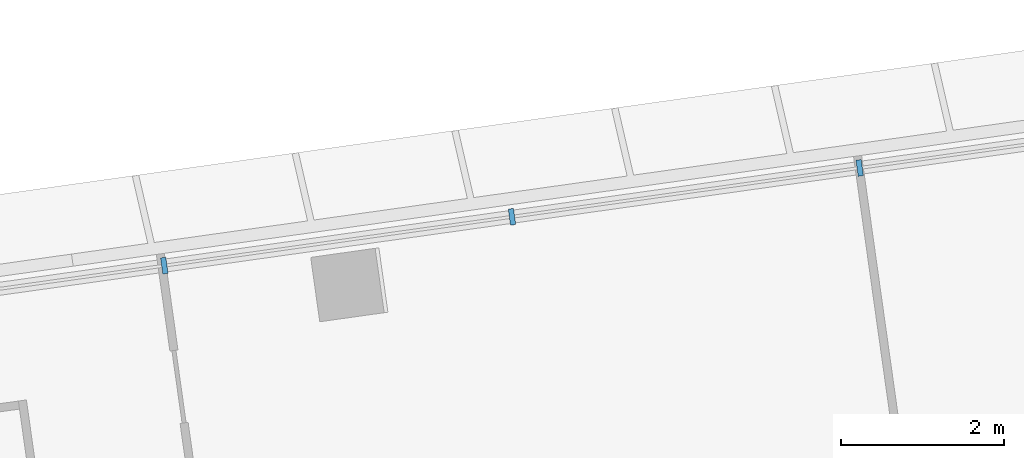
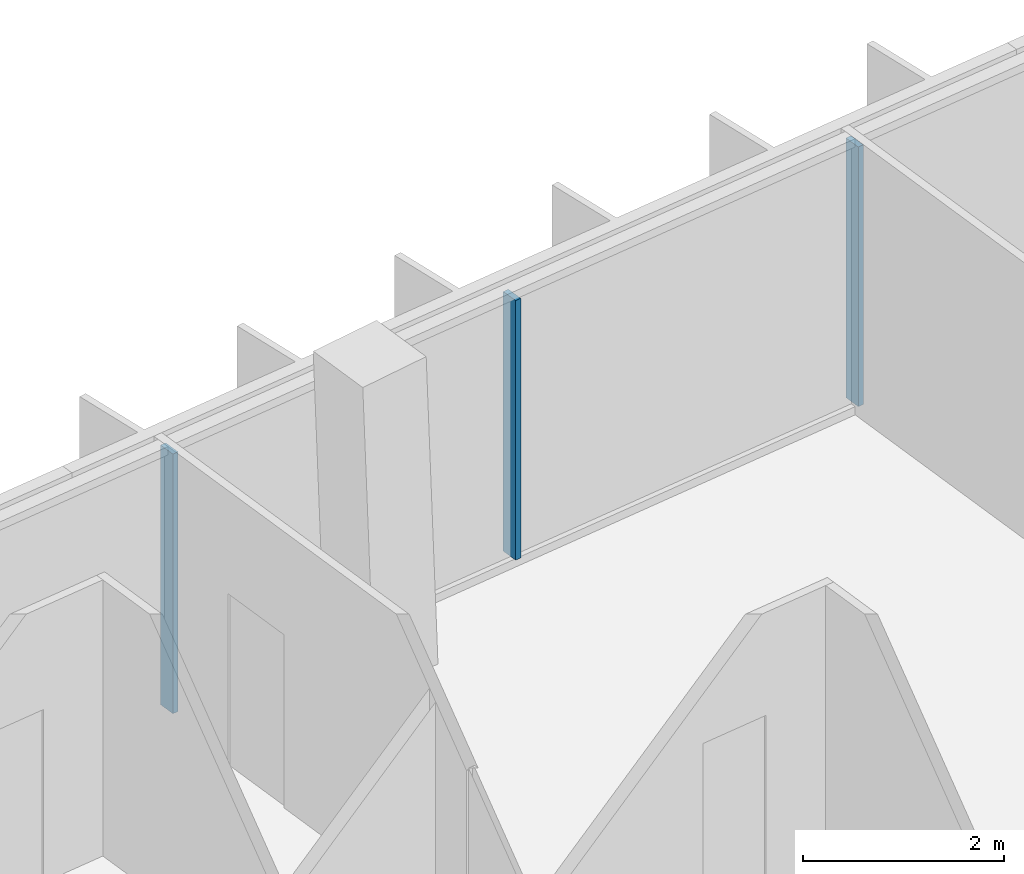
# One storey, part 9 of 23: 3 members, 1 element without a shape of its own.
"""IFC4 building model written with IfcOpenShell, lengths in metres."""

from ifc_helpers import new_model, si_unit, direction, frame, origin, origin_2d, place, context, subcontext, project, spatial, rectangle, extrude, material, material_profile, profile_set, type_object, element, aggregate, save


model = new_model("IFC4")

# Units and contexts
model_context = context("Model", 3, precision=1e-05, world=origin(), true_north=direction((0.0, 1.0)))
body_context = subcontext(model_context, "Body", "Model", "MODEL_VIEW")
ifc_project = project(units=[si_unit("LENGTHUNIT", "METRE"), si_unit("AREAUNIT", "SQUARE_METRE"), si_unit("VOLUMEUNIT", "CUBIC_METRE"), si_unit("PLANEANGLEUNIT", "RADIAN"), si_unit("MASSUNIT", "GRAM", prefix="KILO")], contexts=[model_context])

# Site, building, storey
site_placement = place(None, origin())
site = spatial("IfcSite", under=ifc_project, at=site_placement, CompositionType="ELEMENT")
building_placement = place(site_placement, origin())
building = spatial("IfcBuilding", under=site, at=building_placement, Name="Mirante Cascada Hotel Towers", CompositionType="ELEMENT")
storey_placement = place(building_placement, frame((0.0, 0.0, 199.2)))
storey = spatial("IfcBuildingStorey", under=building, at=storey_placement, Name="L47", CompositionType="ELEMENT", Elevation=199.2)

# Curtain wall, members
ifc_material_1 = material(Name="Aluminium mullion and transom frame with clear laminated glass", Category="aluminium")
curtain_wall_type = type_object("IfcCurtainWallType", Name="Ribbon curtain wall ECW1", PredefinedType="NOTDEFINED", material=ifc_material_1)
curtain_wall_placement = place(storey_placement, origin())
curtain_wall = element("IfcCurtainWall", 1, at=curtain_wall_placement, inside=storey, type_object=curtain_wall_type, Name="Front ribbon wall T2 L47", PredefinedType="NOTDEFINED")
ifc_material_2 = material(Name="Anodised aluminium extrusion", Category="aluminium")
ifc_material_profile = material_profile(ifc_material_2, rectangle(XDim=0.2, YDim=0.065, at=origin_2d()), Name="ECW1 MULLION 65x200")
ifc_profile_set = profile_set([ifc_material_profile], Name="Anodised aluminium extrusion")
member_type = type_object("IfcMemberType", Name="ECW1 mullion 65x200", PredefinedType="MULLION", material=ifc_profile_set)
member_1_placement = place(storey_placement, frame((50.6585, 19.9386, 0.1), z_axis=(0.0, 0.0, 1.0), x_axis=(0.1391731, -0.9902681, 0.0)))
member_1 = element("IfcMember", 2, at=member_1_placement, type_object=member_type, Name="ECW1 mullion 7", PredefinedType="MULLION", context=body_context, shape_type="SweptSolid", body=[
    extrude(rectangle(XDim=0.2, YDim=0.065, at=origin_2d()), origin(), (0.0, 0.0, 1.0), 3.15),
])
member_2_placement = place(storey_placement, frame((46.3793, 19.3372, 0.1), z_axis=(0.0, 0.0, 1.0), x_axis=(0.1391731, -0.9902681, 0.0)))
member_2 = element("IfcMember", 3, at=member_2_placement, type_object=member_type, Name="ECW1 mullion 8", PredefinedType="MULLION", context=body_context, shape_type="SweptSolid", body=[
    extrude(rectangle(XDim=0.2, YDim=0.065, at=origin_2d()), origin(), (0.0, 0.0, 1.0), 3.15),
])
member_3_placement = place(storey_placement, frame((42.1002, 18.7358, 0.1), z_axis=(0.0, 0.0, 1.0), x_axis=(0.1391731, -0.9902681, 0.0)))
member_3 = element("IfcMember", 4, at=member_3_placement, type_object=member_type, Name="ECW1 mullion 9", PredefinedType="MULLION", context=body_context, shape_type="SweptSolid", body=[
    extrude(rectangle(XDim=0.2, YDim=0.065, at=origin_2d()), origin(), (0.0, 0.0, 1.0), 3.15),
])
aggregate(curtain_wall, [member_1, member_2, member_3])

save(model, "model.ifc")
